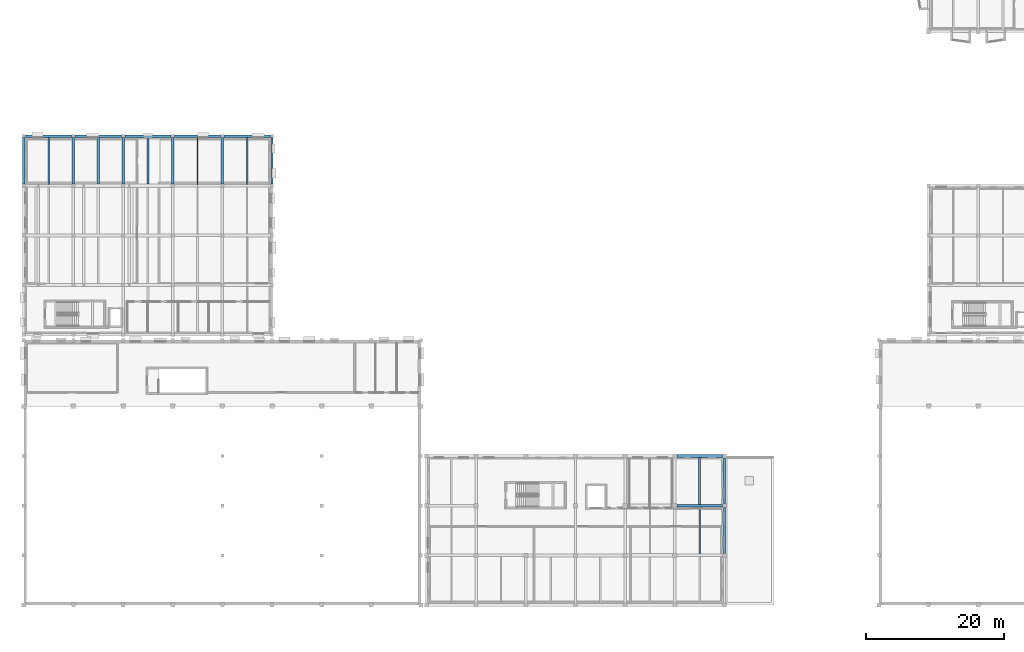
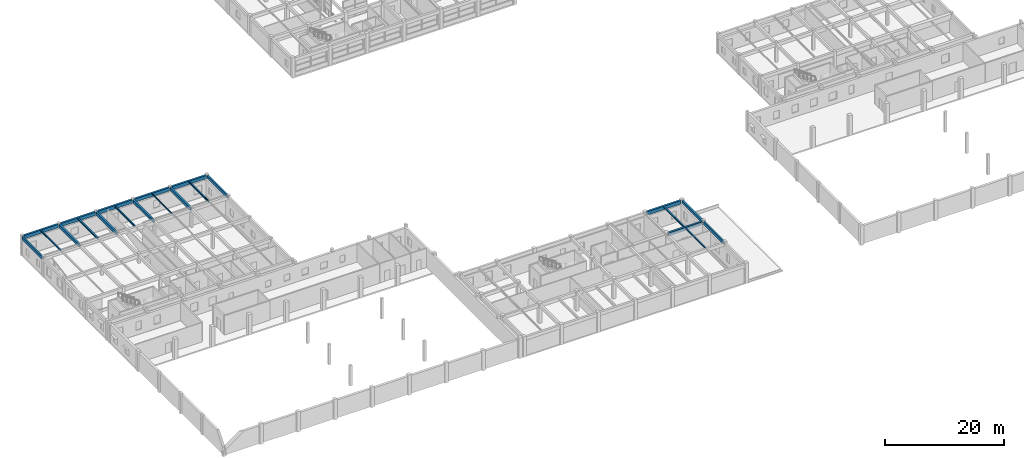
# One storey, part 7 of 49: 22 beams.
"""IFC4 building model written with IfcOpenShell, lengths in metres."""

from ifc_helpers import new_model, si_unit, direction, frame, origin, origin_2d, place, context, subcontext, project, spatial, rectangle, i_section, extrude, material, material_profile, profile_set, type_object, element, save


model = new_model("IFC4")

# Units and contexts
model_context = context("Model", 3, precision=1e-05, world=origin(), true_north=direction((0.0, 1.0)))
body_context = subcontext(model_context, "Body", "Model", "MODEL_VIEW")
ifc_project = project(units=[si_unit("LENGTHUNIT", "METRE"), si_unit("AREAUNIT", "SQUARE_METRE"), si_unit("VOLUMEUNIT", "CUBIC_METRE"), si_unit("PLANEANGLEUNIT", "RADIAN"), si_unit("MASSUNIT", "GRAM", prefix="KILO")], contexts=[model_context])

# Site, building, storey
site_placement = place(None, origin())
site = spatial("IfcSite", under=ifc_project, at=site_placement, CompositionType="ELEMENT")
building_placement = place(site_placement, origin())
building = spatial("IfcBuilding", under=site, at=building_placement, Name="Bramveld Media Centre", CompositionType="ELEMENT")
storey_placement = place(building_placement, frame((0.0, 0.0, 9.60009765625)))
storey = spatial("IfcBuildingStorey", under=building, at=storey_placement, Name="L02", CompositionType="ELEMENT", Elevation=9.60009765625)

# Beams
ifc_material_1 = material(Name="Concrete C40/50", Category="concrete")
ifc_material_profile_1 = material_profile(ifc_material_1, rectangle(XDim=0.35009765625, YDim=0.60009765625, at=origin_2d()), Name="RC 350x600")
ifc_profile_set_1 = profile_set([ifc_material_profile_1], Name="Concrete C40/50")
beam_type_1 = type_object("IfcBeamType", Name="BM-INT-RC-350x600", PredefinedType="BEAM", material=ifc_profile_set_1)
for number, where, z_axis, x_axis, name in (
    (1, (7.199951171875, 61.02490234375, 3.659912109375), (0.0, 1.0, 0.0), (-1.0, 0.0, 0.0), "V3 L02 girder Y-354"),
    (2, (14.39990234375, 61.02490234375, 3.659912109375), (0.0, 1.0, 0.0), (-1.0, 0.0, 0.0), "V3 L02 girder Y-358"),
    (3, (21.60009765625, 61.02490234375, 3.659912109375), (0.0, 1.0, 0.0), (-1.0, 0.0, 0.0), "V3 L02 girder Y-362"),
    (4, (28.800048828125, 61.02490234375, 3.64990234375), (0.0, 1.0, 0.0), (-1.0, 0.0, 0.0), "V3 L02 girder Y-366"),
):
    element("IfcBeam", number, at=place(storey_placement, frame(where, z_axis=z_axis, x_axis=x_axis)), inside=storey, type_object=beam_type_1, Name=name, PredefinedType="BEAM", context=body_context, shape_type="SweptSolid", body=[
        extrude(rectangle(XDim=0.35009765625, YDim=0.60009765625, at=origin_2d()), origin(), (0.0, 0.0, 1.0), 6.735107421875),
    ])
ifc_material_2 = material(Name="Concrete C40/50", Category="concrete")
ifc_material_profile_2 = material_profile(ifc_material_2, rectangle(XDim=0.35009765625, YDim=0.64990234375, at=origin_2d()), Name="RC 350x650")
ifc_profile_set_2 = profile_set([ifc_material_profile_2], Name="Concrete C40/50")
beam_type_2 = type_object("IfcBeamType", Name="BM-INT-RC-350x650", PredefinedType="BEAM", material=ifc_profile_set_2)
beam_1_placement = place(storey_placement, frame((94.699951171875, 14.39990234375, 3.635009765625), z_axis=(1.0, 0.0, 0.0), x_axis=(0.0, 1.0, 0.0)))
element("IfcBeam", 5, at=beam_1_placement, inside=storey, type_object=beam_type_2, Name="V5 L02 girder X-792", PredefinedType="BEAM", context=body_context, shape_type="SweptSolid", body=[
    extrude(rectangle(XDim=0.35009765625, YDim=0.64990234375, at=origin_2d()), origin(), (0.0, 0.0, 1.0), 6.610107421875),
])
ifc_material_3 = material(Name="Steel S355J2", Category="steel")
ifc_material_profile_3 = material_profile(ifc_material_3, i_section(OverallWidth=0.239990234375, OverallDepth=0.22998046875, WebThickness=0.007568359375, FlangeThickness=0.011962890625, FilletRadius=0.02099609375, at=origin_2d()), Name="HEA 240")
ifc_profile_set_3 = profile_set([ifc_material_profile_3], Name="Steel S355J2")
beam_type_3 = type_object("IfcBeamType", Name="SBM-INT-HEA-240", PredefinedType="BEAM", material=ifc_profile_set_3)
beam_2_placement = place(storey_placement, frame((3.60009765625, 61.0, 3.844970703125), z_axis=(0.0, 1.0, 0.0), x_axis=(-1.0, 0.0, 0.0)))
element("IfcBeam", 6, at=beam_2_placement, inside=storey, type_object=beam_type_3, Name="V3 L02 secondary floor joist 373", PredefinedType="BEAM", context=body_context, shape_type="SweptSolid", body=[
    extrude(i_section(OverallWidth=0.239990234375, OverallDepth=0.22998046875, WebThickness=0.007568359375, FlangeThickness=0.011962890625, FilletRadius=0.02099609375, at=origin_2d()), origin(), (0.0, 0.0, 1.0), 6.81005859375),
])
beam_3_placement = place(storey_placement, frame((98.0, 7.375, 3.844970703125), z_axis=(0.0, 1.0, 0.0), x_axis=(-1.0, 0.0, 0.0)))
element("IfcBeam", 7, at=beam_3_placement, inside=storey, type_object=beam_type_3, Name="V5 L02 secondary floor joist 828", PredefinedType="BEAM", context=body_context, shape_type="SweptSolid", body=[
    extrude(i_section(OverallWidth=0.239990234375, OverallDepth=0.22998046875, WebThickness=0.007568359375, FlangeThickness=0.011962890625, FilletRadius=0.02099609375, at=origin_2d()), origin(), (0.0, 0.0, 1.0), 6.85009765625),
])
ifc_material_4 = material(Name="Steel S355J2", Category="steel")
ifc_material_profile_4 = material_profile(ifc_material_4, i_section(OverallWidth=0.260009765625, OverallDepth=0.25, WebThickness=0.007568359375, FlangeThickness=0.012451171875, FilletRadius=0.02392578125, at=origin_2d()), Name="HEA 260")
ifc_profile_set_4 = profile_set([ifc_material_profile_4], Name="Steel S355J2")
beam_type_4 = type_object("IfcBeamType", Name="SBM-INT-HEA-260", PredefinedType="BEAM", material=ifc_profile_set_4)
beam_4_placement = place(storey_placement, frame((98.0, 14.574951171875, 3.8349609375), z_axis=(0.0, 1.0, 0.0), x_axis=(-1.0, 0.0, 0.0)))
element("IfcBeam", 8, at=beam_4_placement, inside=storey, type_object=beam_type_4, Name="V5 L02 secondary floor joist 829", PredefinedType="BEAM", context=body_context, shape_type="SweptSolid", body=[
    extrude(i_section(OverallWidth=0.260009765625, OverallDepth=0.25, WebThickness=0.007568359375, FlangeThickness=0.012451171875, FilletRadius=0.02392578125, at=origin_2d()), origin(), (0.0, 0.0, 1.0), 6.8349609375),
])
ifc_material_5 = material(Name="Steel S355J2", Category="steel")
ifc_material_profile_5 = material_profile(ifc_material_5, i_section(OverallWidth=0.300048828125, OverallDepth=0.31005859375, WebThickness=0.009033203125, FlangeThickness=0.015380859375, FilletRadius=0.027099609375, at=origin_2d()), Name="HEA 320")
ifc_profile_set_5 = profile_set([ifc_material_profile_5], Name="Steel S355J2")
beam_type_5 = type_object("IfcBeamType", Name="SBM-INT-HEA-320", PredefinedType="BEAM", material=ifc_profile_set_5)
beam_5_placement = place(storey_placement, frame((10.800048828125, 61.02490234375, 3.804931640625), z_axis=(0.0, 1.0, 0.0), x_axis=(-1.0, 0.0, 0.0)))
element("IfcBeam", 9, at=beam_5_placement, inside=storey, type_object=beam_type_5, Name="V3 L02 secondary floor joist 376", PredefinedType="BEAM", context=body_context, shape_type="SweptSolid", body=[
    extrude(i_section(OverallWidth=0.300048828125, OverallDepth=0.31005859375, WebThickness=0.009033203125, FlangeThickness=0.015380859375, FilletRadius=0.027099609375, at=origin_2d()), origin(), (0.0, 0.0, 1.0), 6.78515625),
])
ifc_material_6 = material(Name="Steel S355J2", Category="steel")
ifc_material_profile_6 = material_profile(ifc_material_6, i_section(OverallWidth=0.260009765625, OverallDepth=0.260009765625, WebThickness=0.010009765625, FlangeThickness=0.017578125, FilletRadius=0.02392578125, at=origin_2d()), Name="HEB 260")
ifc_profile_set_6 = profile_set([ifc_material_profile_6], Name="Steel S355J2")
beam_type_6 = type_object("IfcBeamType", Name="SBM-INT-HEB-260", PredefinedType="BEAM", material=ifc_profile_set_6)
beam_6_placement = place(storey_placement, frame((18.0, 61.02490234375, 3.829833984375), z_axis=(0.0, 1.0, 0.0), x_axis=(-1.0, 0.0, 0.0)))
element("IfcBeam", 10, at=beam_6_placement, inside=storey, type_object=beam_type_6, Name="V3 L02 secondary floor joist 380", PredefinedType="BEAM", context=body_context, shape_type="SweptSolid", body=[
    extrude(i_section(OverallWidth=0.260009765625, OverallDepth=0.260009765625, WebThickness=0.010009765625, FlangeThickness=0.017578125, FilletRadius=0.02392578125, at=origin_2d()), origin(), (0.0, 0.0, 1.0), 6.78515625),
])
ifc_material_7 = material(Name="Steel S355J2", Category="steel")
ifc_material_profile_7 = material_profile(ifc_material_7, i_section(OverallWidth=0.110107421875, OverallDepth=0.219970703125, WebThickness=0.005859375, FlangeThickness=0.00927734375, FilletRadius=0.011962890625, at=origin_2d()), Name="IPE 220")
ifc_profile_set_7 = profile_set([ifc_material_profile_7], Name="Steel S355J2")
beam_type_7 = type_object("IfcBeamType", Name="SBM-INT-IPE-220", PredefinedType="JOIST", material=ifc_profile_set_7)
beam_7_placement = place(storey_placement, frame((25.199951171875, 60.97509765625, 3.849853515625), z_axis=(0.0, 1.0, 0.0), x_axis=(-1.0, 0.0, 0.0)))
element("IfcBeam", 11, at=beam_7_placement, inside=storey, type_object=beam_type_7, Name="V3 L02 secondary floor joist 384", PredefinedType="JOIST", context=body_context, shape_type="SweptSolid", body=[
    extrude(i_section(OverallWidth=0.110107421875, OverallDepth=0.219970703125, WebThickness=0.005859375, FlangeThickness=0.00927734375, FilletRadius=0.011962890625, at=origin_2d()), origin(), (0.0, 0.0, 1.0), 6.8349609375),
])
ifc_material_8 = material(Name="Steel S355J2", Category="steel")
ifc_material_profile_8 = material_profile(ifc_material_8, i_section(OverallWidth=0.159912109375, OverallDepth=0.330078125, WebThickness=0.007568359375, FlangeThickness=0.011474609375, FilletRadius=0.01806640625, at=origin_2d()), Name="IPE 330")
ifc_profile_set_8 = profile_set([ifc_material_profile_8], Name="Steel S355J2")
beam_type_8 = type_object("IfcBeamType", Name="SBM-INT-IPE-330", PredefinedType="JOIST", material=ifc_profile_set_8)
beam_8_placement = place(storey_placement, frame((32.39990234375, 61.0, 3.784912109375), z_axis=(0.0, 1.0, 0.0), x_axis=(-1.0, 0.0, 0.0)))
element("IfcBeam", 12, at=beam_8_placement, inside=storey, type_object=beam_type_8, Name="V3 L02 secondary floor joist 388", PredefinedType="JOIST", context=body_context, shape_type="SweptSolid", body=[
    extrude(i_section(OverallWidth=0.159912109375, OverallDepth=0.330078125, WebThickness=0.007568359375, FlangeThickness=0.011474609375, FilletRadius=0.01806640625, at=origin_2d()), origin(), (0.0, 0.0, 1.0), 6.81005859375),
])
ifc_material_9 = material(Name="Concrete C40/50", Category="concrete")
ifc_material_profile_9 = material_profile(ifc_material_9, rectangle(XDim=0.320068359375, YDim=0.580078125, at=origin_2d()), Name="RC 320x580")
ifc_profile_set_9 = profile_set([ifc_material_profile_9], Name="Concrete C40/50")
beam_type_9 = type_object("IfcBeamType", Name="SPANDREL-EXT-RC-320x580", PredefinedType="SPANDREL", material=ifc_profile_set_9)
for number, where, z_axis, x_axis, name in (
    (13, (0.0, 61.0400390625, 3.669921875), (0.0, 1.0, 0.0), (-1.0, 0.0, 0.0), "V3 L02 girder Y-351"),
    (14, (36.0, 61.0400390625, 3.659912109375), (0.0, 1.0, 0.0), (-1.0, 0.0, 0.0), "V3 L02 girder Y-370"),
):
    element("IfcBeam", number, at=place(storey_placement, frame(where, z_axis=z_axis, x_axis=x_axis)), inside=storey, type_object=beam_type_9, Name=name, PredefinedType="SPANDREL", context=body_context, shape_type="SweptSolid", body=[
        extrude(rectangle(XDim=0.320068359375, YDim=0.580078125, at=origin_2d()), origin(), (0.0, 0.0, 1.0), 6.719970703125),
    ])
for number, where, z_axis, x_axis, name in (
    (15, (101.60009765625, 7.489990234375, 3.669921875), (0.0, 1.0, 0.0), (-1.0, 0.0, 0.0), "V5 L02 girder Y-816"),
    (16, (101.60009765625, 14.68994140625, 3.669921875), (0.0, 1.0, 0.0), (-1.0, 0.0, 0.0), "V5 L02 girder Y-817"),
):
    element("IfcBeam", number, at=place(storey_placement, frame(where, z_axis=z_axis, x_axis=x_axis)), inside=storey, type_object=beam_type_9, Name=name, PredefinedType="SPANDREL", context=body_context, shape_type="SweptSolid", body=[
        extrude(rectangle(XDim=0.320068359375, YDim=0.580078125, at=origin_2d()), origin(), (0.0, 0.0, 1.0), 6.6201171875),
    ])
ifc_material_10 = material(Name="Concrete C40/50", Category="concrete")
ifc_material_profile_10 = material_profile(ifc_material_10, rectangle(XDim=0.3798828125, YDim=0.679931640625, at=origin_2d()), Name="RC 380x680")
ifc_profile_set_10 = profile_set([ifc_material_profile_10], Name="Concrete C40/50")
beam_type_10 = type_object("IfcBeamType", Name="SPANDREL-EXT-RC-380x680", PredefinedType="SPANDREL", material=ifc_profile_set_10)
for number, where, z_axis, x_axis, name in (
    (17, (0.239990234375, 68.0, 3.619873046875), (1.0, 0.0, 0.0), (0.0, 1.0, 0.0), "V3 L02 girder X-343"),
    (18, (7.43994140625, 68.0, 3.619873046875), (1.0, 0.0, 0.0), (0.0, 1.0, 0.0), "V3 L02 girder X-344"),
):
    element("IfcBeam", number, at=place(storey_placement, frame(where, z_axis=z_axis, x_axis=x_axis)), inside=storey, type_object=beam_type_10, Name=name, PredefinedType="SPANDREL", context=body_context, shape_type="SweptSolid", body=[
        extrude(rectangle(XDim=0.3798828125, YDim=0.679931640625, at=origin_2d()), origin(), (0.0, 0.0, 1.0), 6.719970703125),
    ])
beam_9_placement = place(storey_placement, frame((14.639892578125, 68.0, 3.619873046875), z_axis=(1.0, 0.0, 0.0), x_axis=(0.0, 1.0, 0.0)))
element("IfcBeam", 19, at=beam_9_placement, inside=storey, type_object=beam_type_10, Name="V3 L02 girder X-345", PredefinedType="SPANDREL", context=body_context, shape_type="SweptSolid", body=[
    extrude(rectangle(XDim=0.3798828125, YDim=0.679931640625, at=origin_2d()), origin(), (0.0, 0.0, 1.0), 6.72021484375),
])
for number, where, z_axis, x_axis, name in (
    (20, (21.840087890625, 68.0, 3.619873046875), (1.0, 0.0, 0.0), (0.0, 1.0, 0.0), "V3 L02 girder X-346"),
    (21, (29.0400390625, 68.0, 3.60986328125), (1.0, 0.0, 0.0), (0.0, 1.0, 0.0), "V3 L02 girder X-347"),
):
    element("IfcBeam", number, at=place(storey_placement, frame(where, z_axis=z_axis, x_axis=x_axis)), inside=storey, type_object=beam_type_10, Name=name, PredefinedType="SPANDREL", context=body_context, shape_type="SweptSolid", body=[
        extrude(rectangle(XDim=0.3798828125, YDim=0.679931640625, at=origin_2d()), origin(), (0.0, 0.0, 1.0), 6.719970703125),
    ])
beam_10_placement = place(storey_placement, frame((94.68994140625, 21.60009765625, 3.619873046875), z_axis=(1.0, 0.0, 0.0), x_axis=(0.0, 1.0, 0.0)))
element("IfcBeam", 22, at=beam_10_placement, inside=storey, type_object=beam_type_10, Name="V5 L02 girder X-798", PredefinedType="SPANDREL", context=body_context, shape_type="SweptSolid", body=[
    extrude(rectangle(XDim=0.3798828125, YDim=0.679931640625, at=origin_2d()), origin(), (0.0, 0.0, 1.0), 6.6201171875),
])

save(model, "model.ifc")
